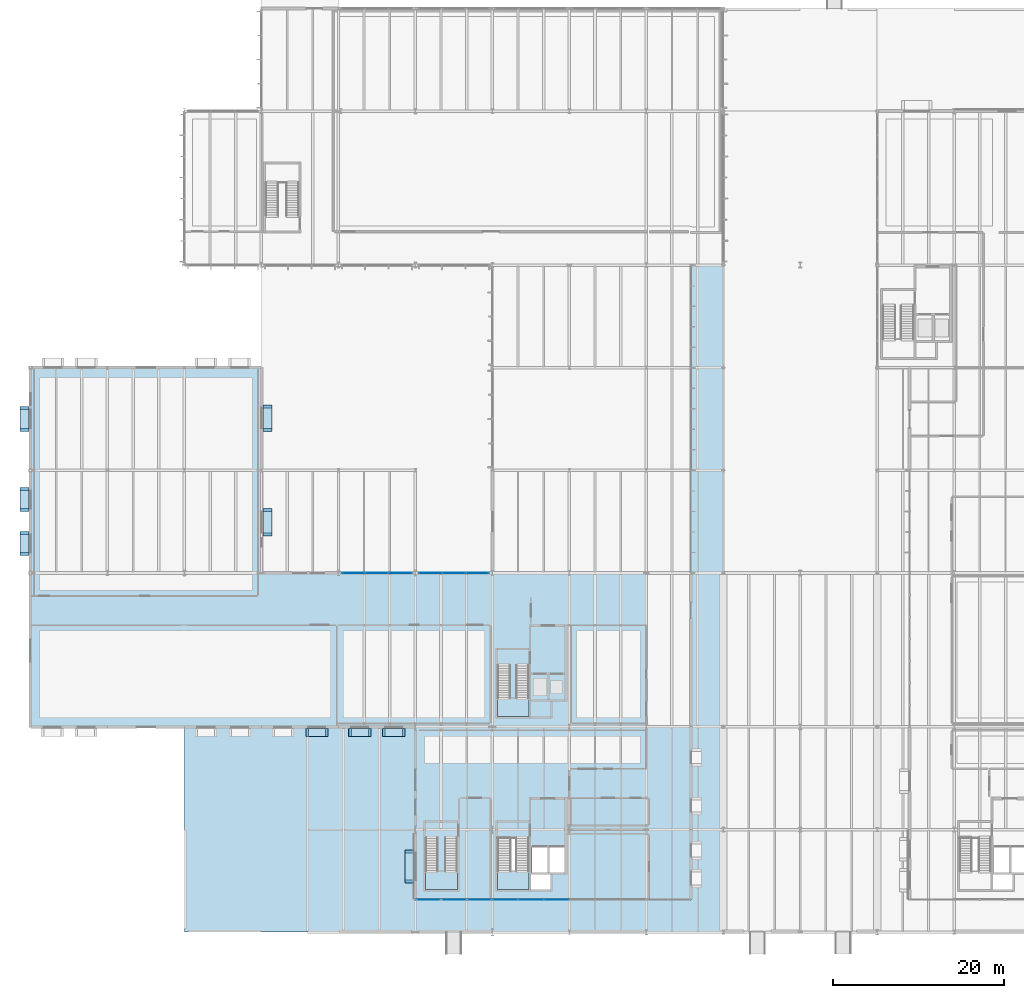
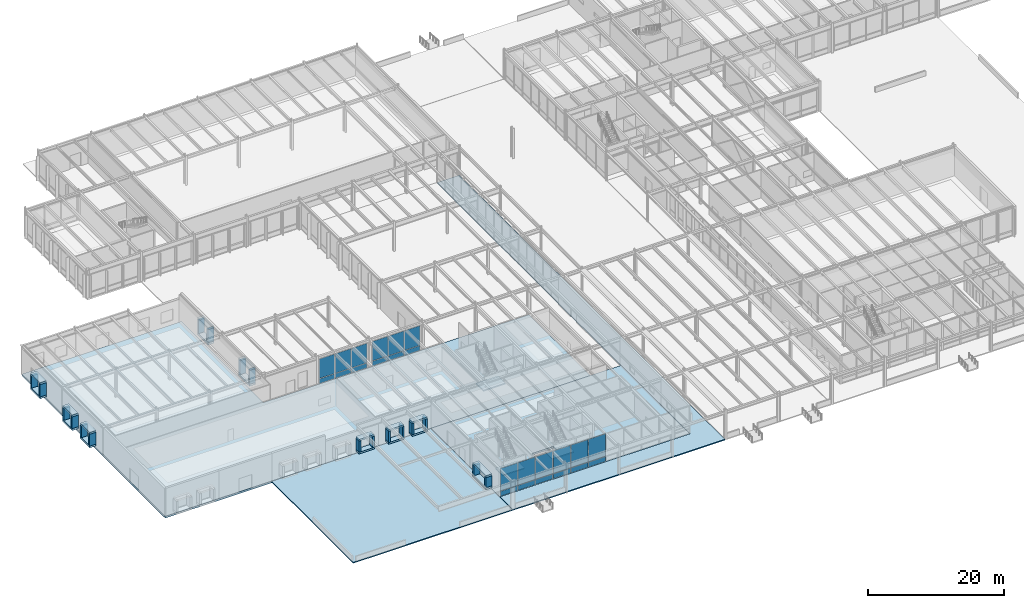
# One storey, part 104 of 143: 60 plates, 7 slabs, 7 elements without a shape of their own.
"""IFC4 building model written with IfcOpenShell, lengths in metres."""

from ifc_helpers import new_model, si_unit, direction, frame, origin, origin_2d, place, context, subcontext, project, spatial, polyline, rectangle, outline, extrude, material, layer, layer_set, type_object, element, aggregate, save


model = new_model("IFC4")

# Units and contexts
model_context = context("Model", 3, precision=1e-05, world=origin(), true_north=direction((0.0, 1.0)))
body_context = subcontext(model_context, "Body", "Model", "MODEL_VIEW")
ifc_project = project(units=[si_unit("LENGTHUNIT", "METRE"), si_unit("AREAUNIT", "SQUARE_METRE"), si_unit("VOLUMEUNIT", "CUBIC_METRE"), si_unit("PLANEANGLEUNIT", "RADIAN"), si_unit("MASSUNIT", "GRAM", prefix="KILO")], contexts=[model_context])

# Site, building, storey
site_placement = place(None, origin())
site = spatial("IfcSite", under=ifc_project, at=site_placement, CompositionType="ELEMENT")
building_placement = place(site_placement, origin())
building = spatial("IfcBuilding", under=site, at=building_placement, Name="Montelvaro Courts of Justice", CompositionType="ELEMENT")
storey_placement = place(building_placement, origin())
storey = spatial("IfcBuildingStorey", under=building, at=storey_placement, Name="L00", CompositionType="ELEMENT", Elevation=0.0)

# Curtain wall, plates
ifc_material_1 = material(Name="Anodised aluminium EN AW-6063", Category="aluminium")
ifc_layer_1 = layer(ifc_material_1, 0.159912109375)
ifc_layer_set_1 = layer_set([ifc_layer_1], Name="Anodised aluminium EN AW-6063")
curtain_wall_type_1 = type_object("IfcCurtainWallType", Name="CurtainWall_01_827x508", PredefinedType="USERDEFINED", material=ifc_layer_set_1)
curtain_wall_1_placement = place(storey_placement, origin())
curtain_wall_1 = element("IfcCurtainWall", 1, at=curtain_wall_1_placement, inside=storey, type_object=curtain_wall_type_1, Name="Curtain Wall CW-01 (L00)", ObjectType="CURTAIN WALL", PredefinedType="USERDEFINED")
ifc_material_2 = material(Name="Low-E solar control double glazing", Category="glass")
ifc_layer_2 = layer(ifc_material_2, 0.028076171875)
ifc_layer_set_2 = layer_set([ifc_layer_2], Name="Low-E solar control double glazing")
plate_type_1 = type_object("IfcPlateType", Name="CurtainWall_Glazed_Panel_28", PredefinedType="CURTAIN_PANEL", material=ifc_layer_set_2)
plate_1_placement = place(storey_placement, frame((52.238037109375, 42.0, 0.06005859375), z_axis=(0.0, 0.0, 1.0), x_axis=(-1.0, 0.0, 0.0)))
plate_1 = element("IfcPlate", 2, at=plate_1_placement, type_object=plate_type_1, Name="CW-01 panel 1.1", PredefinedType="CURTAIN_PANEL", context=body_context, shape_type="SweptSolid", body=[
    extrude(rectangle(XDim=2.644287109375, YDim=0.028076171875, at=origin_2d()), origin(), (0.0, 0.0, 1.0), 0.860107421875),
])
plate_2_placement = place(storey_placement, frame((52.238037109375, 42.0, 0.97998046875), z_axis=(0.0, 0.0, 1.0), x_axis=(-1.0, 0.0, 0.0)))
plate_2 = element("IfcPlate", 3, at=plate_2_placement, type_object=plate_type_1, Name="CW-01 panel 1.2", PredefinedType="CURTAIN_PANEL", context=body_context, shape_type="SweptSolid", body=[
    extrude(rectangle(XDim=2.644287109375, YDim=0.028076171875, at=origin_2d()), origin(), (0.0, 0.0, 1.0), 3.514892578125),
])
plate_3_placement = place(storey_placement, frame((49.5, 42.0, 0.06005859375), z_axis=(0.0, 0.0, 1.0), x_axis=(-1.0, 0.0, 0.0)))
plate_3 = element("IfcPlate", 4, at=plate_3_placement, type_object=plate_type_1, Name="CW-01 panel 2.1", PredefinedType="CURTAIN_PANEL", context=body_context, shape_type="SweptSolid", body=[
    extrude(rectangle(XDim=2.681640625, YDim=0.028076171875, at=origin_2d()), origin(), (0.0, 0.0, 1.0), 0.860107421875),
])
plate_4_placement = place(storey_placement, frame((49.5, 42.0, 0.97998046875), z_axis=(0.0, 0.0, 1.0), x_axis=(-1.0, 0.0, 0.0)))
plate_4 = element("IfcPlate", 5, at=plate_4_placement, type_object=plate_type_1, Name="CW-01 panel 2.2", PredefinedType="CURTAIN_PANEL", context=body_context, shape_type="SweptSolid", body=[
    extrude(rectangle(XDim=2.681640625, YDim=0.028076171875, at=origin_2d()), origin(), (0.0, 0.0, 1.0), 3.514892578125),
])
plate_5_placement = place(storey_placement, frame((46.761962890625, 42.0, 0.06005859375), z_axis=(0.0, 0.0, 1.0), x_axis=(-1.0, 0.0, 0.0)))
plate_5 = element("IfcPlate", 6, at=plate_5_placement, type_object=plate_type_1, Name="CW-01 panel 3.1", PredefinedType="CURTAIN_PANEL", context=body_context, shape_type="SweptSolid", body=[
    extrude(rectangle(XDim=2.644287109375, YDim=0.028076171875, at=origin_2d()), origin(), (0.0, 0.0, 1.0), 0.860107421875),
])
plate_6_placement = place(storey_placement, frame((46.761962890625, 42.0, 0.97998046875), z_axis=(0.0, 0.0, 1.0), x_axis=(-1.0, 0.0, 0.0)))
plate_6 = element("IfcPlate", 7, at=plate_6_placement, type_object=plate_type_1, Name="CW-01 panel 3.2", PredefinedType="CURTAIN_PANEL", context=body_context, shape_type="SweptSolid", body=[
    extrude(rectangle(XDim=2.644287109375, YDim=0.028076171875, at=origin_2d()), origin(), (0.0, 0.0, 1.0), 3.514892578125),
])
aggregate(curtain_wall_1, [plate_1, plate_2, plate_3, plate_4, plate_5, plate_6])

curtain_wall_2_placement = place(storey_placement, origin())
curtain_wall_2 = element("IfcCurtainWall", 8, at=curtain_wall_2_placement, inside=storey, type_object=curtain_wall_type_1, Name="Curtain Wall CW-01 (L00)", ObjectType="CURTAIN WALL", PredefinedType="USERDEFINED")
plate_7_placement = place(storey_placement, frame((43.238037109375, 42.0, 0.074951171875), z_axis=(0.0, 0.0, 1.0), x_axis=(-1.0, 0.0, 0.0)))
plate_7 = element("IfcPlate", 9, at=plate_7_placement, type_object=plate_type_1, Name="CW-01 panel 1.1", PredefinedType="CURTAIN_PANEL", context=body_context, shape_type="SweptSolid", body=[
    extrude(rectangle(XDim=2.644287109375, YDim=0.028076171875, at=origin_2d()), origin(), (0.0, 0.0, 1.0), 0.83740234375),
])
plate_8_placement = place(storey_placement, frame((43.238037109375, 42.0, 0.9873046875), z_axis=(0.0, 0.0, 1.0), x_axis=(-1.0, 0.0, 0.0)))
plate_8 = element("IfcPlate", 10, at=plate_8_placement, type_object=plate_type_1, Name="CW-01 panel 1.2", PredefinedType="CURTAIN_PANEL", context=body_context, shape_type="SweptSolid", body=[
    extrude(rectangle(XDim=2.644287109375, YDim=0.028076171875, at=origin_2d()), origin(), (0.0, 0.0, 1.0), 3.492431640625),
])
plate_9_placement = place(storey_placement, frame((40.5, 42.0, 0.074951171875), z_axis=(0.0, 0.0, 1.0), x_axis=(-1.0, 0.0, 0.0)))
plate_9 = element("IfcPlate", 11, at=plate_9_placement, type_object=plate_type_1, Name="CW-01 panel 2.1", PredefinedType="CURTAIN_PANEL", context=body_context, shape_type="SweptSolid", body=[
    extrude(rectangle(XDim=2.681640625, YDim=0.028076171875, at=origin_2d()), origin(), (0.0, 0.0, 1.0), 0.83740234375),
])
plate_10_placement = place(storey_placement, frame((40.5, 42.0, 0.9873046875), z_axis=(0.0, 0.0, 1.0), x_axis=(-1.0, 0.0, 0.0)))
plate_10 = element("IfcPlate", 12, at=plate_10_placement, type_object=plate_type_1, Name="CW-01 panel 2.2", PredefinedType="CURTAIN_PANEL", context=body_context, shape_type="SweptSolid", body=[
    extrude(rectangle(XDim=2.681640625, YDim=0.028076171875, at=origin_2d()), origin(), (0.0, 0.0, 1.0), 3.492431640625),
])
plate_11_placement = place(storey_placement, frame((37.761962890625, 42.0, 0.074951171875), z_axis=(0.0, 0.0, 1.0), x_axis=(-1.0, 0.0, 0.0)))
plate_11 = element("IfcPlate", 13, at=plate_11_placement, type_object=plate_type_1, Name="CW-01 panel 3.1", PredefinedType="CURTAIN_PANEL", context=body_context, shape_type="SweptSolid", body=[
    extrude(rectangle(XDim=2.644287109375, YDim=0.028076171875, at=origin_2d()), origin(), (0.0, 0.0, 1.0), 0.83740234375),
])
plate_12_placement = place(storey_placement, frame((37.761962890625, 42.0, 0.9873046875), z_axis=(0.0, 0.0, 1.0), x_axis=(-1.0, 0.0, 0.0)))
plate_12 = element("IfcPlate", 14, at=plate_12_placement, type_object=plate_type_1, Name="CW-01 panel 3.2", PredefinedType="CURTAIN_PANEL", context=body_context, shape_type="SweptSolid", body=[
    extrude(rectangle(XDim=2.644287109375, YDim=0.028076171875, at=origin_2d()), origin(), (0.0, 0.0, 1.0), 3.492431640625),
])
aggregate(curtain_wall_2, [plate_7, plate_8, plate_9, plate_10, plate_11, plate_12])

ifc_layer_3 = layer(ifc_material_1, 0.159912109375)
ifc_layer_set_3 = layer_set([ifc_layer_3], Name="Anodised aluminium EN AW-6063")
curtain_wall_type_2 = type_object("IfcCurtainWallType", Name="CurtainWall_10_896x508", PredefinedType="USERDEFINED", material=ifc_layer_set_3)
curtain_wall_3_placement = place(storey_placement, origin())
curtain_wall_3 = element("IfcCurtainWall", 15, at=curtain_wall_3_placement, inside=storey, type_object=curtain_wall_type_2, Name="Curtain Wall CW-10 (L00)", ObjectType="CURTAIN WALL", PredefinedType="USERDEFINED")
plate_13_placement = place(storey_placement, frame((46.552001953125, 3.800048828125, 0.06005859375), z_axis=(0.0, 0.0, 1.0), x_axis=(1.0, 0.0, 0.0)))
plate_13 = element("IfcPlate", 16, at=plate_13_placement, type_object=plate_type_1, Name="CW-10 panel 1.1", PredefinedType="CURTAIN_PANEL", context=body_context, shape_type="SweptSolid", body=[
    extrude(rectangle(XDim=2.874267578125, YDim=0.028076171875, at=origin_2d()), origin(), (0.0, 0.0, 1.0), 0.860107421875),
])
plate_14_placement = place(storey_placement, frame((46.552001953125, 3.800048828125, 0.97998046875), z_axis=(0.0, 0.0, 1.0), x_axis=(1.0, 0.0, 0.0)))
plate_14 = element("IfcPlate", 17, at=plate_14_placement, type_object=plate_type_1, Name="CW-10 panel 1.2", PredefinedType="CURTAIN_PANEL", context=body_context, shape_type="SweptSolid", body=[
    extrude(rectangle(XDim=2.874267578125, YDim=0.028076171875, at=origin_2d()), origin(), (0.0, 0.0, 1.0), 4.0400390625),
])
plate_15_placement = place(storey_placement, frame((49.52001953125, 3.800048828125, 0.06005859375), z_axis=(0.0, 0.0, 1.0), x_axis=(1.0, 0.0, 0.0)))
plate_15 = element("IfcPlate", 18, at=plate_15_placement, type_object=plate_type_1, Name="CW-10 panel 2.1", PredefinedType="CURTAIN_PANEL", context=body_context, shape_type="SweptSolid", body=[
    extrude(rectangle(XDim=2.91162109375, YDim=0.028076171875, at=origin_2d()), origin(), (0.0, 0.0, 1.0), 0.860107421875),
])
plate_16_placement = place(storey_placement, frame((49.52001953125, 3.800048828125, 0.97998046875), z_axis=(0.0, 0.0, 1.0), x_axis=(1.0, 0.0, 0.0)))
plate_16 = element("IfcPlate", 19, at=plate_16_placement, type_object=plate_type_1, Name="CW-10 panel 2.2", PredefinedType="CURTAIN_PANEL", context=body_context, shape_type="SweptSolid", body=[
    extrude(rectangle(XDim=2.91162109375, YDim=0.028076171875, at=origin_2d()), origin(), (0.0, 0.0, 1.0), 4.0400390625),
])
plate_17_placement = place(storey_placement, frame((52.488037109375, 3.800048828125, 0.06005859375), z_axis=(0.0, 0.0, 1.0), x_axis=(1.0, 0.0, 0.0)))
plate_17 = element("IfcPlate", 20, at=plate_17_placement, type_object=plate_type_1, Name="CW-10 panel 3.1", PredefinedType="CURTAIN_PANEL", context=body_context, shape_type="SweptSolid", body=[
    extrude(rectangle(XDim=2.874267578125, YDim=0.028076171875, at=origin_2d()), origin(), (0.0, 0.0, 1.0), 0.860107421875),
])
plate_18_placement = place(storey_placement, frame((52.488037109375, 3.800048828125, 0.97998046875), z_axis=(0.0, 0.0, 1.0), x_axis=(1.0, 0.0, 0.0)))
plate_18 = element("IfcPlate", 21, at=plate_18_placement, type_object=plate_type_1, Name="CW-10 panel 3.2", PredefinedType="CURTAIN_PANEL", context=body_context, shape_type="SweptSolid", body=[
    extrude(rectangle(XDim=2.874267578125, YDim=0.028076171875, at=origin_2d()), origin(), (0.0, 0.0, 1.0), 4.0400390625),
])
aggregate(curtain_wall_3, [plate_13, plate_14, plate_15, plate_16, plate_17, plate_18])

ifc_layer_4 = layer(ifc_material_1, 0.159912109375)
ifc_layer_set_4 = layer_set([ifc_layer_4], Name="Anodised aluminium EN AW-6063")
curtain_wall_type_3 = type_object("IfcCurtainWallType", Name="CurtainWall_11_900x508", PredefinedType="USERDEFINED", material=ifc_layer_set_4)
curtain_wall_4_placement = place(storey_placement, origin())
curtain_wall_4 = element("IfcCurtainWall", 22, at=curtain_wall_4_placement, inside=storey, type_object=curtain_wall_type_3, Name="Curtain Wall CW-11 (L00)", ObjectType="CURTAIN WALL", PredefinedType="USERDEFINED")
plate_19_placement = place(storey_placement, frame((55.514892578125, 3.800048828125, 0.06005859375), z_axis=(0.0, 0.0, 1.0), x_axis=(1.0, 0.0, 0.0)))
plate_19 = element("IfcPlate", 23, at=plate_19_placement, type_object=plate_type_1, Name="CW-11 panel 1.1", PredefinedType="CURTAIN_PANEL", context=body_context, shape_type="SweptSolid", body=[
    extrude(rectangle(XDim=2.909912109375, YDim=0.028076171875, at=origin_2d()), origin(), (0.0, 0.0, 1.0), 0.860107421875),
])
plate_20_placement = place(storey_placement, frame((55.514892578125, 3.800048828125, 0.97998046875), z_axis=(0.0, 0.0, 1.0), x_axis=(1.0, 0.0, 0.0)))
plate_20 = element("IfcPlate", 24, at=plate_20_placement, type_object=plate_type_1, Name="CW-11 panel 1.2", PredefinedType="CURTAIN_PANEL", context=body_context, shape_type="SweptSolid", body=[
    extrude(rectangle(XDim=2.909912109375, YDim=0.028076171875, at=origin_2d()), origin(), (0.0, 0.0, 1.0), 4.0400390625),
])
plate_21_placement = place(storey_placement, frame((58.5, 3.800048828125, 0.06005859375), z_axis=(0.0, 0.0, 1.0), x_axis=(1.0, 0.0, 0.0)))
plate_21 = element("IfcPlate", 25, at=plate_21_placement, type_object=plate_type_1, Name="CW-11 panel 2.1", PredefinedType="CURTAIN_PANEL", context=body_context, shape_type="SweptSolid", body=[
    extrude(rectangle(XDim=2.93994140625, YDim=0.028076171875, at=origin_2d()), origin(), (0.0, 0.0, 1.0), 0.860107421875),
])
plate_22_placement = place(storey_placement, frame((58.5, 3.800048828125, 0.97998046875), z_axis=(0.0, 0.0, 1.0), x_axis=(1.0, 0.0, 0.0)))
plate_22 = element("IfcPlate", 26, at=plate_22_placement, type_object=plate_type_1, Name="CW-11 panel 2.2", PredefinedType="CURTAIN_PANEL", context=body_context, shape_type="SweptSolid", body=[
    extrude(rectangle(XDim=2.93994140625, YDim=0.028076171875, at=origin_2d()), origin(), (0.0, 0.0, 1.0), 4.0400390625),
])
plate_23_placement = place(storey_placement, frame((61.485107421875, 3.800048828125, 0.06005859375), z_axis=(0.0, 0.0, 1.0), x_axis=(1.0, 0.0, 0.0)))
plate_23 = element("IfcPlate", 27, at=plate_23_placement, type_object=plate_type_1, Name="CW-11 panel 3.1", PredefinedType="CURTAIN_PANEL", context=body_context, shape_type="SweptSolid", body=[
    extrude(rectangle(XDim=2.909912109375, YDim=0.028076171875, at=origin_2d()), origin(), (0.0, 0.0, 1.0), 0.860107421875),
])
plate_24_placement = place(storey_placement, frame((61.485107421875, 3.800048828125, 0.97998046875), z_axis=(0.0, 0.0, 1.0), x_axis=(1.0, 0.0, 0.0)))
plate_24 = element("IfcPlate", 28, at=plate_24_placement, type_object=plate_type_1, Name="CW-11 panel 3.2", PredefinedType="CURTAIN_PANEL", context=body_context, shape_type="SweptSolid", body=[
    extrude(rectangle(XDim=2.909912109375, YDim=0.028076171875, at=origin_2d()), origin(), (0.0, 0.0, 1.0), 4.0400390625),
])
aggregate(curtain_wall_4, [plate_19, plate_20, plate_21, plate_22, plate_23, plate_24])

# Slabs
ifc_material_3 = material(Name="Concrete C35/45", Category="concrete")
ifc_layer_5 = layer(ifc_material_3, 0.340087890625)
ifc_layer_set_5 = layer_set([ifc_layer_5], Name="Concrete C35/45")
slab_type_1 = type_object("IfcSlabType", Name="FloorSlab_340", PredefinedType="FLOOR", material=ifc_layer_set_5)
slab_1_placement = place(storey_placement, frame((0.0, 0.0, -0.340087890625)))
element("IfcSlab", 29, at=slab_1_placement, inside=storey, type_object=slab_type_1, Name="Structural Slab SF-03 L00", PredefinedType="FLOOR", context=body_context, shape_type="SweptSolid", body=[
    extrude(outline(polyline([(0.0, 24.0), (72.0, 24.0), (72.0, 42.0), (27.0, 42.0), (27.0, 66.0), (0.0, 66.0), (0.0, 24.0)])), origin(), (0.0, 0.0, 1.0), 0.340087890625),
])
ifc_layer_6 = layer(ifc_material_3, 0.320068359375)
ifc_layer_set_6 = layer_set([ifc_layer_6], Name="Concrete C35/45")
slab_type_2 = type_object("IfcSlabType", Name="FloorSlab_V5_320", PredefinedType="FLOOR", material=ifc_layer_set_6)
slab_2_placement = place(storey_placement, frame((0.0, 0.0, -0.320068359375)))
element("IfcSlab", 30, at=slab_2_placement, inside=storey, type_object=slab_type_2, Name="Structural Slab SF-05 L00", PredefinedType="FLOOR", context=body_context, shape_type="SweptSolid", body=[
    extrude(outline(polyline([(45.0, 3.800048828125), (77.199951171875, 3.800048828125), (77.199951171875, 24.0), (45.0, 24.0), (45.0, 3.800048828125)]), holes=[polyline([(54.60009765625, 5.0), (58.300048828125, 5.0), (58.300048828125, 11.0), (54.60009765625, 11.0), (54.60009765625, 5.0)]), polyline([(58.5400390625, 5.0), (60.800048828125, 5.0), (60.800048828125, 6.760009765625), (58.5400390625, 6.760009765625), (58.5400390625, 5.0)]), polyline([(58.64990234375, 7.0), (60.5, 7.0), (60.5, 9.89990234375), (58.64990234375, 9.89990234375), (58.64990234375, 7.0)]), polyline([(60.60009765625, 7.0), (62.449951171875, 7.0), (62.449951171875, 9.89990234375), (60.60009765625, 9.89990234375), (60.60009765625, 7.0)])]), origin(), (0.0, 0.0, 1.0), 0.320068359375),
])
ifc_layer_7 = layer(ifc_material_3, 0.179931640625)
ifc_layer_set_7 = layer_set([ifc_layer_7], Name="Concrete C35/45")
slab_type_3 = type_object("IfcSlabType", Name="PavingSlab_180", PredefinedType="USERDEFINED", material=ifc_layer_set_7)
slab_3_placement = place(storey_placement, frame((0.0, 0.0, -0.179931640625)))
element("IfcSlab", 31, at=slab_3_placement, inside=storey, type_object=slab_type_3, Name="Exterior Civic Paving SP-01", ObjectType="PAVING", PredefinedType="USERDEFINED", context=body_context, shape_type="SweptSolid", body=[
    extrude(outline(polyline([(45.0, 0.0), (45.0, 3.780029296875), (77.199951171875, 3.780029296875), (77.201904296875, 3.780029296875), (77.2041015625, 3.780029296875), (77.2060546875, 3.781005859375), (77.2080078125, 3.781982421875), (77.208984375, 3.781982421875), (77.2109375, 3.782958984375), (77.212890625, 3.784912109375), (77.214111328125, 3.785888671875), (77.215087890625, 3.787109375), (77.217041015625, 3.7890625), (77.218017578125, 3.791015625), (77.218017578125, 3.7919921875), (77.218994140625, 3.7939453125), (77.219970703125, 3.7958984375), (77.219970703125, 3.798095703125), (77.219970703125, 3.800048828125), (77.219970703125, 77.97998046875), (80.949951171875, 77.97998046875), (80.949951171875, 0.0), (45.0, 0.0)])), origin(), (0.0, 0.0, 1.0), 0.179931640625),
])
slab_4_placement = place(storey_placement, frame((0.0, 0.0, -0.179931640625)))
element("IfcSlab", 32, at=slab_4_placement, inside=storey, type_object=slab_type_3, Name="Exterior Civic Paving SP-01", ObjectType="PAVING", PredefinedType="USERDEFINED", context=body_context, shape_type="SweptSolid", body=[
    extrude(outline(polyline([(18.0, 0.0), (18.0, 23.97998046875), (44.97998046875, 23.97998046875), (44.97998046875, 3.800048828125), (44.97998046875, 3.798095703125), (44.97998046875, 3.7958984375), (44.98095703125, 3.7939453125), (44.98193359375, 3.7919921875), (44.98193359375, 3.791015625), (44.98291015625, 3.7900390625), (44.98193359375, 3.7890625), (44.98193359375, 3.7880859375), (44.98095703125, 3.785888671875), (44.97998046875, 3.783935546875), (44.97998046875, 3.781982421875), (44.97998046875, 3.780029296875), (44.97998046875, 0.0), (18.0, 0.0)])), origin(), (0.0, 0.0, 1.0), 0.179931640625),
])

# Plates
ifc_material_4 = material(Name="White mineral precast concrete C45/55", Category="concrete")
ifc_layer_8 = layer(ifc_material_4, 0.300048828125)
ifc_layer_set_8 = layer_set([ifc_layer_8], Name="White mineral precast concrete C45/55")
plate_type_2 = type_object("IfcPlateType", Name="PrecastSquareFrame_300x950", PredefinedType="SHEET", material=ifc_layer_set_8)
for number, where, z_axis, x_axis, name in (
    (33, (33.48388671875, 23.35498046875, 2.85009765625), (0.0, 0.0, 1.0), (1.0, 0.0, 0.0), "Graduated Square Window Frame PF-02 W-L00-008 TOP"),
    (34, (33.48388671875, 23.35498046875, 0.5498046875), (0.0, 0.0, 1.0), (1.0, 0.0, 0.0), "Graduated Square Window Frame PF-02 W-L00-008 BOT"),
):
    element("IfcPlate", number, at=place(storey_placement, frame(where, z_axis=z_axis, x_axis=x_axis)), inside=storey, type_object=plate_type_2, Name=name, PredefinedType="SHEET", context=body_context, shape_type="SweptSolid", body=[
        extrude(rectangle(XDim=2.60009765625, YDim=0.9599609375, at=origin_2d()), origin(), (0.0, 0.0, 1.0), 0.300048828125),
    ])
for number, where, z_axis, x_axis, name in (
    (35, (32.333984375, 23.35498046875, 0.85009765625), (0.0, 0.0, 1.0), (1.0, 0.0, 0.0), "Graduated Square Window Frame PF-02 W-L00-008 L"),
    (36, (34.634033203125, 23.35498046875, 0.85009765625), (0.0, 0.0, 1.0), (1.0, 0.0, 0.0), "Graduated Square Window Frame PF-02 W-L00-008 R"),
):
    element("IfcPlate", number, at=place(storey_placement, frame(where, z_axis=z_axis, x_axis=x_axis)), inside=storey, type_object=plate_type_2, Name=name, PredefinedType="SHEET", context=body_context, shape_type="SweptSolid", body=[
        extrude(rectangle(XDim=0.300048828125, YDim=0.9599609375, at=origin_2d()), origin(), (0.0, 0.0, 1.0), 2.0),
    ])
for number, where, z_axis, x_axis, name in (
    (37, (38.510986328125, 23.35498046875, 2.85009765625), (0.0, 0.0, 1.0), (1.0, 0.0, 0.0), "Graduated Square Window Frame PF-02 W-L00-009 TOP"),
    (38, (38.510986328125, 23.35498046875, 0.5498046875), (0.0, 0.0, 1.0), (1.0, 0.0, 0.0), "Graduated Square Window Frame PF-02 W-L00-009 BOT"),
):
    element("IfcPlate", number, at=place(storey_placement, frame(where, z_axis=z_axis, x_axis=x_axis)), inside=storey, type_object=plate_type_2, Name=name, PredefinedType="SHEET", context=body_context, shape_type="SweptSolid", body=[
        extrude(rectangle(XDim=2.60009765625, YDim=0.9599609375, at=origin_2d()), origin(), (0.0, 0.0, 1.0), 0.300048828125),
    ])
for number, where, z_axis, x_axis, name in (
    (39, (37.361083984375, 23.35498046875, 0.85009765625), (0.0, 0.0, 1.0), (1.0, 0.0, 0.0), "Graduated Square Window Frame PF-02 W-L00-009 L"),
    (40, (39.660888671875, 23.35498046875, 0.85009765625), (0.0, 0.0, 1.0), (1.0, 0.0, 0.0), "Graduated Square Window Frame PF-02 W-L00-009 R"),
):
    element("IfcPlate", number, at=place(storey_placement, frame(where, z_axis=z_axis, x_axis=x_axis)), inside=storey, type_object=plate_type_2, Name=name, PredefinedType="SHEET", context=body_context, shape_type="SweptSolid", body=[
        extrude(rectangle(XDim=0.300048828125, YDim=0.9599609375, at=origin_2d()), origin(), (0.0, 0.0, 1.0), 2.0),
    ])
for number, where, z_axis, x_axis, name in (
    (41, (42.470947265625, 23.35498046875, 2.85009765625), (0.0, 0.0, 1.0), (1.0, 0.0, 0.0), "Graduated Square Window Frame PF-02 W-L00-010 TOP"),
    (42, (42.470947265625, 23.35498046875, 0.5498046875), (0.0, 0.0, 1.0), (1.0, 0.0, 0.0), "Graduated Square Window Frame PF-02 W-L00-010 BOT"),
):
    element("IfcPlate", number, at=place(storey_placement, frame(where, z_axis=z_axis, x_axis=x_axis)), inside=storey, type_object=plate_type_2, Name=name, PredefinedType="SHEET", context=body_context, shape_type="SweptSolid", body=[
        extrude(rectangle(XDim=2.60009765625, YDim=0.9599609375, at=origin_2d()), origin(), (0.0, 0.0, 1.0), 0.300048828125),
    ])
for number, where, z_axis, x_axis, name in (
    (43, (41.321044921875, 23.35498046875, 0.85009765625), (0.0, 0.0, 1.0), (1.0, 0.0, 0.0), "Graduated Square Window Frame PF-02 W-L00-010 L"),
    (44, (43.62109375, 23.35498046875, 0.85009765625), (0.0, 0.0, 1.0), (1.0, 0.0, 0.0), "Graduated Square Window Frame PF-02 W-L00-010 R"),
):
    element("IfcPlate", number, at=place(storey_placement, frame(where, z_axis=z_axis, x_axis=x_axis)), inside=storey, type_object=plate_type_2, Name=name, PredefinedType="SHEET", context=body_context, shape_type="SweptSolid", body=[
        extrude(rectangle(XDim=0.300048828125, YDim=0.9599609375, at=origin_2d()), origin(), (0.0, 0.0, 1.0), 2.0),
    ])
ifc_layer_9 = layer(ifc_material_4, 0.35009765625)
ifc_layer_set_9 = layer_set([ifc_layer_9], Name="White mineral precast concrete C45/55")
plate_type_3 = type_object("IfcPlateType", Name="PrecastSquareFrame_350x1050", PredefinedType="SHEET", material=ifc_layer_set_9)
for number, where, z_axis, x_axis, name in (
    (45, (27.695068359375, 47.929931640625, 3.050048828125), (0.0, 0.0, 1.0), (0.0, 1.0, 0.0), "Graduated Square Window Frame PF-01 W-L00-011 TOP"),
    (46, (27.695068359375, 47.929931640625, 0.199951171875), (0.0, 0.0, 1.0), (0.0, 1.0, 0.0), "Graduated Square Window Frame PF-01 W-L00-011 BOT"),
):
    element("IfcPlate", number, at=place(storey_placement, frame(where, z_axis=z_axis, x_axis=x_axis)), inside=storey, type_object=plate_type_3, Name=name, PredefinedType="SHEET", context=body_context, shape_type="SweptSolid", body=[
        extrude(rectangle(XDim=3.199951171875, YDim=1.06005859375, at=origin_2d()), origin(), (0.0, 0.0, 1.0), 0.35009765625),
    ])
for number, where, z_axis, x_axis, name in (
    (47, (27.695068359375, 46.5048828125, 0.550048828125), (0.0, 0.0, 1.0), (0.0, 1.0, 0.0), "Graduated Square Window Frame PF-01 W-L00-011 L"),
    (48, (27.695068359375, 49.35498046875, 0.550048828125), (0.0, 0.0, 1.0), (0.0, 1.0, 0.0), "Graduated Square Window Frame PF-01 W-L00-011 R"),
):
    element("IfcPlate", number, at=place(storey_placement, frame(where, z_axis=z_axis, x_axis=x_axis)), inside=storey, type_object=plate_type_3, Name=name, PredefinedType="SHEET", context=body_context, shape_type="SweptSolid", body=[
        extrude(rectangle(XDim=0.35009765625, YDim=1.06005859375, at=origin_2d()), origin(), (0.0, 0.0, 1.0), 2.5),
    ])
for number, where, z_axis, x_axis, name in (
    (49, (27.695068359375, 60.093994140625, 2.949951171875), (0.0, 0.0, 1.0), (0.0, 1.0, 0.0), "Graduated Square Window Frame PF-01 W-L00-012 TOP"),
    (50, (27.695068359375, 60.093994140625, 0.199951171875), (0.0, 0.0, 1.0), (0.0, 1.0, 0.0), "Graduated Square Window Frame PF-01 W-L00-012 BOT"),
):
    element("IfcPlate", number, at=place(storey_placement, frame(where, z_axis=z_axis, x_axis=x_axis)), inside=storey, type_object=plate_type_3, Name=name, PredefinedType="SHEET", context=body_context, shape_type="SweptSolid", body=[
        extrude(rectangle(XDim=3.10009765625, YDim=1.06005859375, at=origin_2d()), origin(), (0.0, 0.0, 1.0), 0.35009765625),
    ])
for number, where, z_axis, x_axis, name in (
    (51, (27.695068359375, 58.718994140625, 0.550048828125), (0.0, 0.0, 1.0), (0.0, 1.0, 0.0), "Graduated Square Window Frame PF-01 W-L00-012 L"),
    (52, (27.695068359375, 61.468994140625, 0.550048828125), (0.0, 0.0, 1.0), (0.0, 1.0, 0.0), "Graduated Square Window Frame PF-01 W-L00-012 R"),
):
    element("IfcPlate", number, at=place(storey_placement, frame(where, z_axis=z_axis, x_axis=x_axis)), inside=storey, type_object=plate_type_3, Name=name, PredefinedType="SHEET", context=body_context, shape_type="SweptSolid", body=[
        extrude(rectangle(XDim=0.35009765625, YDim=1.06005859375, at=origin_2d()), origin(), (0.0, 0.0, 1.0), 2.39990234375),
    ])
for number, where, z_axis, x_axis, name in (
    (53, (-0.695068359375, 60.0, 3.050048828125), (0.0, 0.0, 1.0), (0.0, -1.0, 0.0), "Graduated Square Window Frame PF-01 W-L00-017 TOP"),
    (54, (-0.695068359375, 60.0, 0.5), (0.0, 0.0, 1.0), (0.0, -1.0, 0.0), "Graduated Square Window Frame PF-01 W-L00-017 BOT"),
):
    element("IfcPlate", number, at=place(storey_placement, frame(where, z_axis=z_axis, x_axis=x_axis)), inside=storey, type_object=plate_type_3, Name=name, PredefinedType="SHEET", context=body_context, shape_type="SweptSolid", body=[
        extrude(rectangle(XDim=2.89990234375, YDim=1.06005859375, at=origin_2d()), origin(), (0.0, 0.0, 1.0), 0.35009765625),
    ])
for number, where, z_axis, x_axis, name in (
    (55, (-0.695068359375, 61.275146484375, 0.85009765625), (0.0, 0.0, 1.0), (0.0, -1.0, 0.0), "Graduated Square Window Frame PF-01 W-L00-017 L"),
    (56, (-0.695068359375, 58.72509765625, 0.85009765625), (0.0, 0.0, 1.0), (0.0, -1.0, 0.0), "Graduated Square Window Frame PF-01 W-L00-017 R"),
):
    element("IfcPlate", number, at=place(storey_placement, frame(where, z_axis=z_axis, x_axis=x_axis)), inside=storey, type_object=plate_type_3, Name=name, PredefinedType="SHEET", context=body_context, shape_type="SweptSolid", body=[
        extrude(rectangle(XDim=0.35009765625, YDim=1.06005859375, at=origin_2d()), origin(), (0.0, 0.0, 1.0), 2.199951171875),
    ])
for number, where, z_axis, x_axis, name in (
    (57, (-0.695068359375, 50.570068359375, 2.949951171875), (0.0, 0.0, 1.0), (0.0, -1.0, 0.0), "Graduated Square Window Frame PF-01 W-L00-018 TOP"),
    (58, (-0.695068359375, 50.570068359375, 0.5), (0.0, 0.0, 1.0), (0.0, -1.0, 0.0), "Graduated Square Window Frame PF-01 W-L00-018 BOT"),
):
    element("IfcPlate", number, at=place(storey_placement, frame(where, z_axis=z_axis, x_axis=x_axis)), inside=storey, type_object=plate_type_3, Name=name, PredefinedType="SHEET", context=body_context, shape_type="SweptSolid", body=[
        extrude(rectangle(XDim=2.800048828125, YDim=1.06005859375, at=origin_2d()), origin(), (0.0, 0.0, 1.0), 0.35009765625),
    ])
for number, where, z_axis, x_axis, name in (
    (59, (-0.695068359375, 51.795166015625, 0.849853515625), (0.0, 0.0, 1.0), (0.0, -1.0, 0.0), "Graduated Square Window Frame PF-01 W-L00-018 L"),
    (60, (-0.695068359375, 49.34521484375, 0.849853515625), (0.0, 0.0, 1.0), (0.0, -1.0, 0.0), "Graduated Square Window Frame PF-01 W-L00-018 R"),
):
    element("IfcPlate", number, at=place(storey_placement, frame(where, z_axis=z_axis, x_axis=x_axis)), inside=storey, type_object=plate_type_3, Name=name, PredefinedType="SHEET", context=body_context, shape_type="SweptSolid", body=[
        extrude(rectangle(XDim=0.35009765625, YDim=1.06005859375, at=origin_2d()), origin(), (0.0, 0.0, 1.0), 2.10009765625),
    ])
for number, where, z_axis, x_axis, name in (
    (61, (-0.695068359375, 45.42919921875, 2.949951171875), (0.0, 0.0, 1.0), (0.0, -1.0, 0.0), "Graduated Square Window Frame PF-01 W-L00-019 TOP"),
    (62, (-0.695068359375, 45.42919921875, 0.5), (0.0, 0.0, 1.0), (0.0, -1.0, 0.0), "Graduated Square Window Frame PF-01 W-L00-019 BOT"),
):
    element("IfcPlate", number, at=place(storey_placement, frame(where, z_axis=z_axis, x_axis=x_axis)), inside=storey, type_object=plate_type_3, Name=name, PredefinedType="SHEET", context=body_context, shape_type="SweptSolid", body=[
        extrude(rectangle(XDim=2.800048828125, YDim=1.06005859375, at=origin_2d()), origin(), (0.0, 0.0, 1.0), 0.35009765625),
    ])
for number, where, z_axis, x_axis, name in (
    (63, (-0.695068359375, 46.654052734375, 0.849853515625), (0.0, 0.0, 1.0), (0.0, -1.0, 0.0), "Graduated Square Window Frame PF-01 W-L00-019 L"),
    (64, (-0.695068359375, 44.2041015625, 0.849853515625), (0.0, 0.0, 1.0), (0.0, -1.0, 0.0), "Graduated Square Window Frame PF-01 W-L00-019 R"),
):
    element("IfcPlate", number, at=place(storey_placement, frame(where, z_axis=z_axis, x_axis=x_axis)), inside=storey, type_object=plate_type_3, Name=name, PredefinedType="SHEET", context=body_context, shape_type="SweptSolid", body=[
        extrude(rectangle(XDim=0.35009765625, YDim=1.06005859375, at=origin_2d()), origin(), (0.0, 0.0, 1.0), 2.10009765625),
    ])
for number, where, z_axis, x_axis, name in (
    (65, (44.304931640625, 7.677978515625, 2.64990234375), (0.0, 0.0, 1.0), (0.0, -1.0, 0.0), "Graduated Square Window Frame PF-01 W-L00-024 TOP"),
    (66, (44.304931640625, 7.677978515625, 0.5), (0.0, 0.0, 1.0), (0.0, -1.0, 0.0), "Graduated Square Window Frame PF-01 W-L00-024 BOT"),
):
    element("IfcPlate", number, at=place(storey_placement, frame(where, z_axis=z_axis, x_axis=x_axis)), inside=storey, type_object=plate_type_3, Name=name, PredefinedType="SHEET", context=body_context, shape_type="SweptSolid", body=[
        extrude(rectangle(XDim=3.89990234375, YDim=1.06005859375, at=origin_2d()), origin(), (0.0, 0.0, 1.0), 0.35009765625),
    ])
for number, where, z_axis, x_axis, name in (
    (67, (44.304931640625, 9.452880859375, 0.85009765625), (0.0, 0.0, 1.0), (0.0, -1.0, 0.0), "Graduated Square Window Frame PF-01 W-L00-024 L"),
    (68, (44.304931640625, 5.903076171875, 0.85009765625), (0.0, 0.0, 1.0), (0.0, -1.0, 0.0), "Graduated Square Window Frame PF-01 W-L00-024 R"),
):
    element("IfcPlate", number, at=place(storey_placement, frame(where, z_axis=z_axis, x_axis=x_axis)), inside=storey, type_object=plate_type_3, Name=name, PredefinedType="SHEET", context=body_context, shape_type="SweptSolid", body=[
        extrude(rectangle(XDim=0.35009765625, YDim=1.06005859375, at=origin_2d()), origin(), (0.0, 0.0, 1.0), 1.800048828125),
    ])

# Stair, slab
stair_type_1 = type_object("IfcStairType", Name="ProtectedStair_155", PredefinedType="HALF_TURN_STAIR", material=ifc_material_3)
stair_1_placement = place(storey_placement, origin())
stair_1 = element("IfcStair", 69, at=stair_1_placement, inside=storey, type_object=stair_type_1, Name="Protected Stair ST-K1-L00", PredefinedType="HALF_TURN_STAIR")
ifc_layer_10 = layer(ifc_material_3, 0.199951171875)
ifc_layer_set_10 = layer_set([ifc_layer_10], Name="Concrete C35/45")
slab_type_4 = type_object("IfcSlabType", Name="StairLanding_200", PredefinedType="LANDING", material=ifc_layer_set_10)
slab_5_placement = place(storey_placement, frame((0.0, 0.0, 2.5)))
slab_5 = element("IfcSlab", 70, at=slab_5_placement, type_object=slab_type_4, Name="ST-K1-L00 landing 1", PredefinedType="LANDING", context=body_context, shape_type="SweptSolid", body=[
    extrude(outline(polyline([(54.60009765625, 5.0), (58.300048828125, 5.0), (58.300048828125, 7.1650390625), (54.60009765625, 7.1650390625), (54.60009765625, 5.0)])), origin(), (0.0, 0.0, 1.0), 0.199951171875),
])
aggregate(stair_1, [slab_5])

stair_type_2 = type_object("IfcStairType", Name="ProtectedStair_150", PredefinedType="HALF_TURN_STAIR", material=ifc_material_3)
stair_2_placement = place(storey_placement, origin())
stair_2 = element("IfcStair", 71, at=stair_2_placement, inside=storey, type_object=stair_type_2, Name="Protected Stair ST-W1-L00", PredefinedType="HALF_TURN_STAIR")
slab_6_placement = place(storey_placement, frame((0.0, 0.0, 2.5)))
slab_6 = element("IfcSlab", 72, at=slab_6_placement, type_object=slab_type_4, Name="ST-W1-L00 landing 1", PredefinedType="LANDING", context=body_context, shape_type="SweptSolid", body=[
    extrude(outline(polyline([(54.60009765625, 25.199951171875), (58.300048828125, 25.199951171875), (58.300048828125, 27.364990234375), (54.60009765625, 27.364990234375), (54.60009765625, 25.199951171875)])), origin(), (0.0, 0.0, 1.0), 0.199951171875),
])
aggregate(stair_2, [slab_6])

stair_type_3 = type_object("IfcStairType", Name="ProtectedStair_145", PredefinedType="HALF_TURN_STAIR", material=ifc_material_3)
stair_3_placement = place(storey_placement, origin())
stair_3 = element("IfcStair", 73, at=stair_3_placement, inside=storey, type_object=stair_type_3, Name="Protected Stair ST-E1-L00", PredefinedType="HALF_TURN_STAIR")
slab_7_placement = place(storey_placement, frame((0.0, 0.0, 2.5)))
slab_7 = element("IfcSlab", 74, at=slab_7_placement, type_object=slab_type_4, Name="ST-E1-L00 landing 1", PredefinedType="LANDING", context=body_context, shape_type="SweptSolid", body=[
    extrude(outline(polyline([(46.199951171875, 5.0), (49.89990234375, 5.0), (49.89990234375, 7.1650390625), (46.199951171875, 7.1650390625), (46.199951171875, 5.0)])), origin(), (0.0, 0.0, 1.0), 0.199951171875),
])
aggregate(stair_3, [slab_7])

save(model, "model.ifc")
